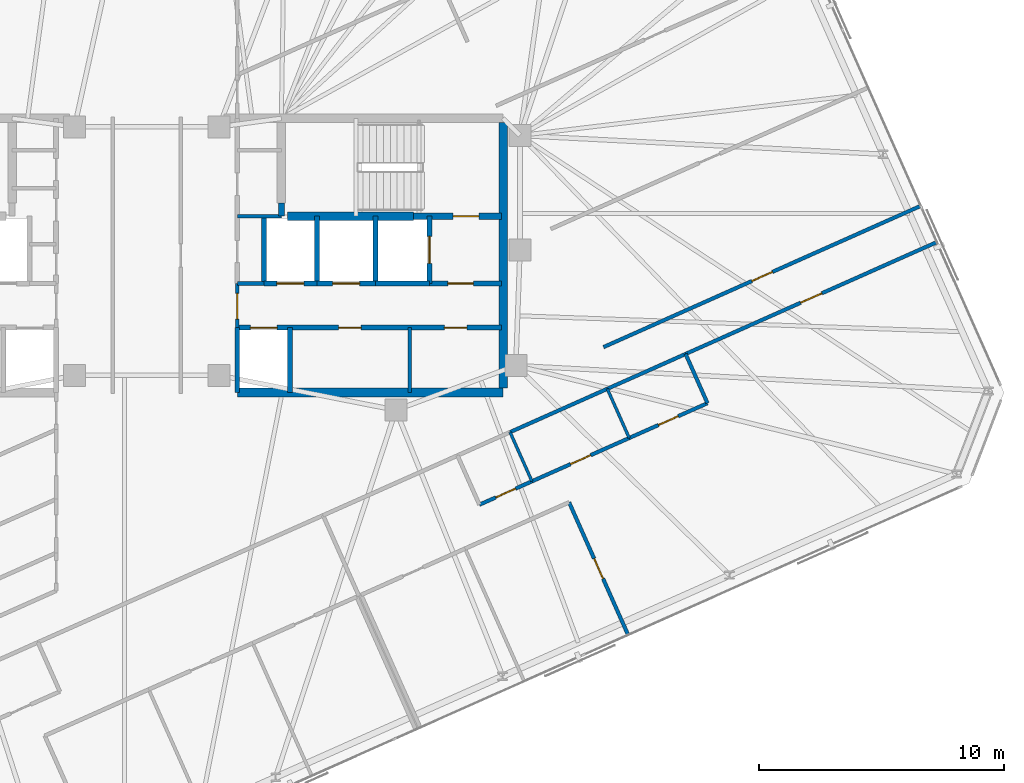
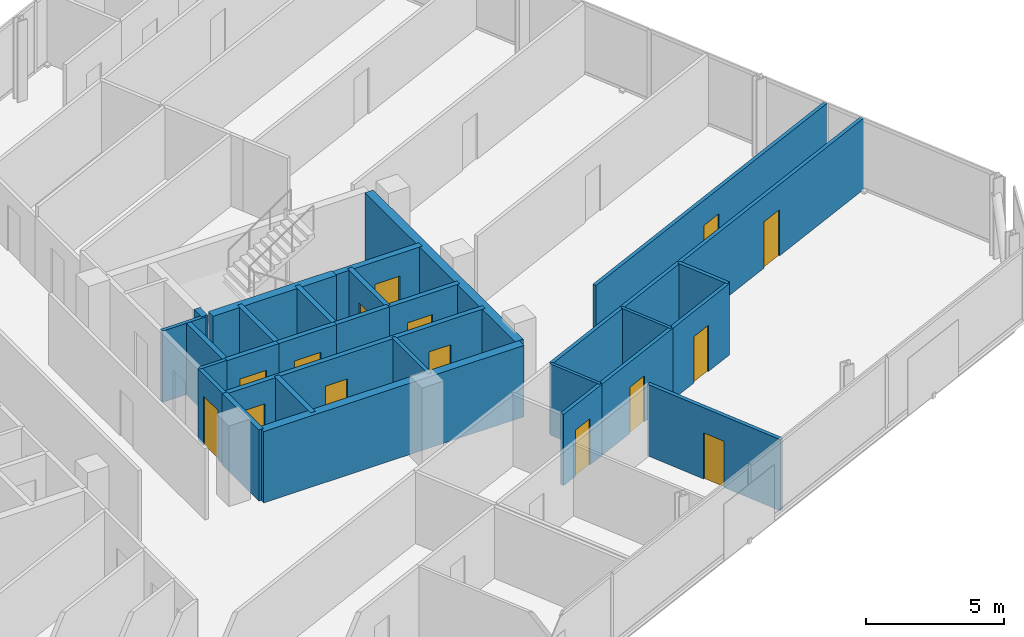
# One storey, part 15 of 19: 31 walls, 15 doors, 15 openings.
"""IFC4 building model written with IfcOpenShell, lengths in metres."""

from ifc_helpers import new_model, si_unit, direction, frame, frame_2d, origin, place, context, subcontext, project, spatial, rectangle, extrude, material, layer, layer_set, type_object, element, fill, save


model = new_model("IFC4")

# Units and contexts
model_context = context("Model", 3, precision=1e-05, world=origin(), true_north=direction((0.0, 1.0)))
body_context = subcontext(model_context, "Body", "Model", "MODEL_VIEW")
ifc_project = project(units=[si_unit("LENGTHUNIT", "METRE"), si_unit("AREAUNIT", "SQUARE_METRE"), si_unit("VOLUMEUNIT", "CUBIC_METRE"), si_unit("PLANEANGLEUNIT", "RADIAN"), si_unit("MASSUNIT", "GRAM", prefix="KILO")], contexts=[model_context])

# Site, building, storey
site_placement = place(None, origin())
site = spatial("IfcSite", under=ifc_project, at=site_placement, CompositionType="ELEMENT")
building_placement = place(site_placement, origin())
building = spatial("IfcBuilding", under=site, at=building_placement, Name="Menara Jurai Vektor", CompositionType="ELEMENT")
storey_placement = place(building_placement, frame((0.0, 0.0, 302.0)))
storey = spatial("IfcBuildingStorey", under=building, at=storey_placement, Name="L81", CompositionType="ELEMENT", Elevation=302.0)

# Wall, opening, door
ifc_material_1 = material(Name="Concrete C40/50", Category="concrete")
ifc_layer_1 = layer(ifc_material_1, 0.25)
ifc_layer_set_1 = layer_set([ifc_layer_1], Name="Concrete C40/50")
wall_type_1 = type_object("IfcWallType", Name="INT-WALL-CORE-250", PredefinedType="STANDARD", material=ifc_layer_set_1)
wall_1_placement = place(storey_placement, frame((10.89990234375, 1.60009765625, 0.0), z_axis=(0.0, 0.0, 1.0), x_axis=(1.0, 0.0, 0.0)))
wall_1 = element("IfcWall", 1, at=wall_1_placement, inside=storey, type_object=wall_type_1, Name="Interior Wall IW-250 L81", PredefinedType="STANDARD", context=body_context, shape_type="SweptSolid", body=[
    extrude(rectangle(XDim=3.60009765625, YDim=0.25, at=frame_2d((1.800048828125, 0.0))), origin(), (0.0, 0.0, 1.0), 3.14501953125),
])
opening_1_placement = place(wall_1_placement, frame((1.6201171875, 0.0, 0.0)))
opening_1 = element("IfcOpeningElement", 2, at=opening_1_placement, cuts=wall_1, Name="Opening D-L81-ST2", PredefinedType="OPENING", context=body_context, shape_type="SweptSolid", body=[
    extrude(rectangle(XDim=1.050048828125, YDim=2.14990234375, at=frame_2d((0.52490234375, 1.074951171875))), frame((0.0, 0.135009765625, 0.0), z_axis=(0.0, -1.0, 0.0), x_axis=(1.0, 0.0, 0.0)), (0.0, 0.0, 1.0), 0.27001953125),
])
ifc_material_2 = material(Name="Fire-Rated Steel Door", Category="steel")
door_type_1 = type_object("IfcDoorType", Name="DR-STAIR-1050", OperationType="NOTDEFINED", PredefinedType="DOOR", material=ifc_material_2)
door_1_placement = place(opening_1_placement, origin())
door_1 = element("IfcDoor", 3, at=door_1_placement, inside=storey, type_object=door_type_1, Name="Exit Stair ST2 Door L81", OperationType="SINGLE_SWING_LEFT", OverallHeight=2.14990234375, OverallWidth=1.050048828125, PredefinedType="DOOR", context=body_context, shape_type="SweptSolid", body=[
    extrude(rectangle(XDim=1.050048828125, YDim=2.14990234375, at=frame_2d((0.52490234375, 1.074951171875))), frame((0.0, 0.02490234375, 0.0), z_axis=(0.0, -1.0, 0.0), x_axis=(1.0, 0.0, 0.0)), (0.0, 0.0, 1.0), 0.050048828125),
])
fill(opening_1, door_1)

# Wall
wall_2_placement = place(storey_placement, frame((5.5, 1.60009765625, 0.0), z_axis=(0.0, 0.0, 1.0), x_axis=(0.0, 1.0, 0.0)))
element("IfcWall", 4, at=wall_2_placement, inside=storey, type_object=wall_type_1, Name="Interior Wall IW-250 L81", PredefinedType="STANDARD", context=body_context, shape_type="SweptSolid", body=[
    extrude(rectangle(XDim=0.5498046875, YDim=0.25, at=frame_2d((0.27490234375, 0.0))), origin(), (0.0, 0.0, 1.0), 3.14501953125),
])

# Wall, opening, door
wall_3_placement = place(storey_placement, frame((11.550048828125, -1.14990234375, 0.0), z_axis=(0.0, 0.0, 1.0), x_axis=(0.0, 1.0, 0.0)))
wall_3 = element("IfcWall", 5, at=wall_3_placement, inside=storey, type_object=wall_type_1, Name="Interior Wall IW-250 L81", PredefinedType="STANDARD", context=body_context, shape_type="SweptSolid", body=[
    extrude(rectangle(XDim=2.75, YDim=0.199951171875, at=frame_2d((1.375, 0.0))), origin(), (0.0, 0.0, 1.0), 3.14501953125),
])
opening_2_placement = place(wall_3_placement, frame((0.824951171875, 0.0, 0.0)))
opening_2 = element("IfcOpeningElement", 6, at=opening_2_placement, cuts=wall_3, Name="Opening LD-L81-FL2", PredefinedType="OPENING", context=body_context, shape_type="SweptSolid", body=[
    extrude(rectangle(XDim=1.10009765625, YDim=2.14990234375, at=frame_2d((0.550048828125, 1.074951171875))), frame((0.0, 0.10986328125, 0.0), z_axis=(0.0, -1.0, 0.0), x_axis=(1.0, 0.0, 0.0)), (0.0, 0.0, 1.0), 0.219970703125),
])
ifc_material_3 = material(Name="Stainless Steel Sliding Lift Landing Door", Category="steel")
door_type_2 = type_object("IfcDoorType", Name="DR-LIFT-FIRE-1100", OperationType="NOTDEFINED", PredefinedType="DOOR", material=ifc_material_3)
door_2_placement = place(opening_2_placement, origin())
door_2 = element("IfcDoor", 7, at=door_2_placement, inside=storey, type_object=door_type_2, Name="Lift Landing Door FL2 L81", OperationType="SLIDING_TO_RIGHT", OverallHeight=2.14990234375, OverallWidth=1.10009765625, PredefinedType="DOOR", context=body_context, shape_type="SweptSolid", body=[
    extrude(rectangle(XDim=1.10009765625, YDim=2.14990234375, at=frame_2d((0.550048828125, 1.074951171875))), frame((0.0, 0.02490234375, 0.0), z_axis=(0.0, -1.0, 0.0), x_axis=(1.0, 0.0, 0.0)), (0.0, 0.0, 1.0), 0.050048828125),
])
fill(opening_2, door_2)

# Wall
wall_4_placement = place(storey_placement, frame((9.35009765625, -1.14990234375, 0.0), z_axis=(0.0, 0.0, 1.0), x_axis=(0.0, 1.0, 0.0)))
element("IfcWall", 8, at=wall_4_placement, inside=storey, type_object=wall_type_1, Name="Interior Wall IW-250 L81", PredefinedType="STANDARD", context=body_context, shape_type="SweptSolid", body=[
    extrude(rectangle(XDim=2.75, YDim=0.199951171875, at=frame_2d((1.375, 0.0))), origin(), (0.0, 0.0, 1.0), 3.14501953125),
])

# Wall, opening, door
wall_5_placement = place(storey_placement, frame((11.550048828125, -1.14990234375, 0.0), z_axis=(0.0, 0.0, 1.0), x_axis=(1.0, 0.0, 0.0)))
wall_5 = element("IfcWall", 9, at=wall_5_placement, inside=storey, type_object=wall_type_1, Name="Interior Wall IW-250 L81", PredefinedType="STANDARD", context=body_context, shape_type="SweptSolid", body=[
    extrude(rectangle(XDim=2.949951171875, YDim=0.199951171875, at=frame_2d((1.47509765625, 0.0))), origin(), (0.0, 0.0, 1.0), 3.14501953125),
])
opening_3_placement = place(wall_5_placement, frame((0.75, 0.0, 0.0)))
opening_3 = element("IfcOpeningElement", 10, at=opening_3_placement, cuts=wall_5, Name="Opening D-L81-FFE", PredefinedType="OPENING", context=body_context, shape_type="SweptSolid", body=[
    extrude(rectangle(XDim=1.050048828125, YDim=2.179931640625, at=frame_2d((0.52490234375, 1.08984375))), frame((0.0, 0.10986328125, 0.0), z_axis=(0.0, -1.0, 0.0), x_axis=(1.0, 0.0, 0.0)), (0.0, 0.0, 1.0), 0.219970703125),
])
ifc_material_4 = material(Name="Fire-Rated Timber Door", Category="wood")
door_type_3 = type_object("IfcDoorType", Name="DR-LOBBY-1050", OperationType="NOTDEFINED", PredefinedType="DOOR", material=ifc_material_4)
door_3_placement = place(opening_3_placement, origin())
door_3 = element("IfcDoor", 11, at=door_3_placement, inside=storey, type_object=door_type_3, Name="Fire Lift Lobby Door E L81", OperationType="SINGLE_SWING_LEFT", OverallHeight=2.179931640625, OverallWidth=1.050048828125, PredefinedType="DOOR", context=body_context, shape_type="SweptSolid", body=[
    extrude(rectangle(XDim=1.050048828125, YDim=2.179931640625, at=frame_2d((0.52490234375, 1.08984375))), frame((0.0, 0.02490234375, 0.0), z_axis=(0.0, -1.0, 0.0), x_axis=(1.0, 0.0, 0.0)), (0.0, 0.0, 1.0), 0.050048828125),
])
fill(opening_3, door_3)

# Wall
wall_6_placement = place(storey_placement, frame((9.35009765625, -1.14990234375, 0.0), z_axis=(0.0, 0.0, 1.0), x_axis=(1.0, 0.0, 0.0)))
element("IfcWall", 12, at=wall_6_placement, inside=storey, type_object=wall_type_1, Name="Interior Wall IW-250 L81", PredefinedType="STANDARD", context=body_context, shape_type="SweptSolid", body=[
    extrude(rectangle(XDim=2.199951171875, YDim=0.199951171875, at=frame_2d((1.10009765625, 0.0))), origin(), (0.0, 0.0, 1.0), 3.14501953125),
])

# Wall, opening, door
ifc_material_5 = material(Name="Gypsum Fireboard Partition", Category="gypsum")
ifc_layer_2 = layer(ifc_material_5, 0.14990234375)
ifc_layer_set_2 = layer_set([ifc_layer_2], Name="Gypsum Fireboard Partition")
wall_type_2 = type_object("IfcWallType", Name="INT-WALL-CORR-150", PredefinedType="PARTITIONING", material=ifc_layer_set_2)
wall_7_placement = place(storey_placement, frame((3.699951171875, -2.949951171875, 0.0), z_axis=(0.0, 0.0, 1.0), x_axis=(0.0, 1.0, 0.0)))
wall_7 = element("IfcWall", 13, at=wall_7_placement, inside=storey, type_object=wall_type_2, Name="Interior Wall IW-150 L81", PredefinedType="PARTITIONING", context=body_context, shape_type="SweptSolid", body=[
    extrude(rectangle(XDim=1.800048828125, YDim=0.14990234375, at=frame_2d((0.89990234375, 0.0))), origin(), (0.0, 0.0, 1.0), 3.14501953125),
])
opening_4_placement = place(wall_7_placement, frame((0.35009765625, 0.0, 0.0)))
opening_4 = element("IfcOpeningElement", 14, at=opening_4_placement, cuts=wall_7, Name="Opening D-L81-LLE", PredefinedType="OPENING", context=body_context, shape_type="SweptSolid", body=[
    extrude(rectangle(XDim=1.050048828125, YDim=2.179931640625, at=frame_2d((0.52490234375, 1.08984375))), frame((0.0, 0.0849609375, 0.0), z_axis=(0.0, -1.0, 0.0), x_axis=(1.0, 0.0, 0.0)), (0.0, 0.0, 1.0), 0.169921875),
])
door_4_placement = place(opening_4_placement, frame((1.050048828125, 0.0, 0.0), z_axis=(0.0, 0.0, 1.0), x_axis=(-1.0, 0.0, 0.0)))
door_4 = element("IfcDoor", 15, at=door_4_placement, inside=storey, type_object=door_type_3, Name="Lift Lobby Corridor Door E L81", OperationType="SINGLE_SWING_RIGHT", OverallHeight=2.179931640625, OverallWidth=1.050048828125, PredefinedType="DOOR", context=body_context, shape_type="SweptSolid", body=[
    extrude(rectangle(XDim=1.050048828125, YDim=2.179931640625, at=frame_2d((0.52490234375, 1.08984375))), frame((0.0, 0.02490234375, 0.0), z_axis=(0.0, -1.0, 0.0), x_axis=(1.0, 0.0, 0.0)), (0.0, 0.0, 1.0), 0.050048828125),
])
fill(opening_4, door_4)

# Walls
wall_8_placement = place(storey_placement, frame((3.699951171875, -1.14990234375, 0.0), z_axis=(0.0, 0.0, 1.0), x_axis=(1.0, 0.0, 0.0)))
element("IfcWall", 16, at=wall_8_placement, inside=storey, type_object=wall_type_2, Name="Interior Wall IW-150 L81", PredefinedType="PARTITIONING", context=body_context, shape_type="SweptSolid", body=[
    extrude(rectangle(XDim=1.090087890625, YDim=0.14990234375, at=frame_2d((0.544921875, 0.0))), origin(), (0.0, 0.0, 1.0), 3.14501953125),
])
wall_9_placement = place(storey_placement, frame((10.739990234375, -5.60009765625, 0.0), z_axis=(0.0, 0.0, 1.0), x_axis=(0.0, 1.0, 0.0)))
element("IfcWall", 17, at=wall_9_placement, inside=storey, type_object=wall_type_2, Name="Interior Wall IW-150 L81", PredefinedType="PARTITIONING", context=body_context, shape_type="SweptSolid", body=[
    extrude(rectangle(XDim=2.650146484375, YDim=0.14990234375, at=frame_2d((1.3251953125, 0.0))), origin(), (0.0, 0.0, 1.0), 3.14501953125),
])
wall_10_placement = place(storey_placement, frame((3.699951171875, 1.60009765625, 0.0), z_axis=(0.0, 0.0, 1.0), x_axis=(1.0, 0.0, 0.0)))
element("IfcWall", 18, at=wall_10_placement, inside=storey, type_object=wall_type_2, Name="Interior Wall IW-150 L81", PredefinedType="PARTITIONING", context=body_context, shape_type="SweptSolid", body=[
    extrude(rectangle(XDim=1.800048828125, YDim=0.14990234375, at=frame_2d((0.89990234375, 0.0))), origin(), (0.0, 0.0, 1.0), 3.14501953125),
])

# Wall, opening, door
wall_11_placement = place(storey_placement, frame((22.015625, -4.027099609375, 0.0), z_axis=(0.0, 0.0, 1.0), x_axis=(0.913548968583, 0.406728757282, 0.0)))
wall_11 = element("IfcWall", 19, at=wall_11_placement, inside=storey, type_object=wall_type_2, Name="Interior Wall IW-150 L81", PredefinedType="PARTITIONING", context=body_context, shape_type="SweptSolid", body=[
    extrude(rectangle(XDim=11.2421875, YDim=0.14990234375, at=frame_2d((5.62109375, 0.0))), origin(), (0.0, 0.0, 1.0), 3.14501953125),
])
opening_5_placement = place(wall_11_placement, frame((5.14599609375, 0.0, 0.0)))
opening_5 = element("IfcOpeningElement", 20, at=opening_5_placement, cuts=wall_11, Name="Opening D81-20", PredefinedType="OPENING", context=body_context, shape_type="SweptSolid", body=[
    extrude(rectangle(XDim=0.949951171875, YDim=2.0400390625, at=frame_2d((0.47509765625, 1.02001953125))), frame((0.0, 0.0849609375, 0.0), z_axis=(0.0, -1.0, 0.0), x_axis=(1.0, 0.0, 0.0)), (0.0, 0.0, 1.0), 0.169921875),
])
ifc_material_6 = material(Name="Solid Core Timber Fire Door", Category="wood")
door_type_4 = type_object("IfcDoorType", Name="DR-ENTRY-950", OperationType="NOTDEFINED", PredefinedType="DOOR", material=ifc_material_6)
door_5_placement = place(opening_5_placement, origin())
door_5 = element("IfcDoor", 21, at=door_5_placement, inside=storey, type_object=door_type_4, Name="Interior Door D81-20", OperationType="SINGLE_SWING_RIGHT", OverallHeight=2.0400390625, OverallWidth=0.949951171875, PredefinedType="DOOR", context=body_context, shape_type="SweptSolid", body=[
    extrude(rectangle(XDim=0.949951171875, YDim=2.0400390625, at=frame_2d((0.47509765625, 1.02001953125))), frame((0.0, 0.02490234375, 0.0), z_axis=(0.0, -1.0, 0.0), x_axis=(1.0, 0.0, 0.0)), (0.0, 0.0, 1.0), 0.050048828125),
])
fill(opening_5, door_5)

# Walls
wall_12_placement = place(storey_placement, frame((14.844482421875, -7.22021484375, 0.0), z_axis=(0.0, 0.0, 1.0), x_axis=(0.913524337797, 0.406784075711, 0.0)))
element("IfcWall", 22, at=wall_12_placement, inside=storey, type_object=wall_type_2, Name="Interior Wall IW-150 L81", PredefinedType="PARTITIONING", context=body_context, shape_type="SweptSolid", body=[
    extrude(rectangle(XDim=4.35009765625, YDim=0.14990234375, at=frame_2d((2.175048828125, 0.0))), origin(), (0.0, 0.0, 1.0), 3.14501953125),
])
wall_13_placement = place(storey_placement, frame((18.818359375, -5.45068359375, 0.0), z_axis=(0.0, 0.0, 1.0), x_axis=(0.913538066796, 0.406753242783, 0.0)))
element("IfcWall", 23, at=wall_13_placement, inside=storey, type_object=wall_type_2, Name="Interior Wall IW-150 L81", PredefinedType="PARTITIONING", context=body_context, shape_type="SweptSolid", body=[
    extrude(rectangle(XDim=3.499755859375, YDim=0.14990234375, at=frame_2d((1.75, 0.0))), origin(), (0.0, 0.0, 1.0), 3.14501953125),
])

# Wall, opening, door
wall_14_placement = place(storey_placement, frame((18.661865234375, -3.747314453125, 0.0), z_axis=(0.0, 0.0, 1.0), x_axis=(0.913544622417, 0.406738519018, 0.0)))
wall_14 = element("IfcWall", 24, at=wall_14_placement, inside=storey, type_object=wall_type_2, Name="Interior Wall IW-150 L81", PredefinedType="PARTITIONING", context=body_context, shape_type="SweptSolid", body=[
    extrude(rectangle(XDim=14.192138671875, YDim=0.14990234375, at=frame_2d((7.09619140625, 0.0))), origin(), (0.0, 0.0, 1.0), 3.14501953125),
])
opening_6_placement = place(wall_14_placement, frame((6.635986328125, 0.0, 0.0)))
opening_6 = element("IfcOpeningElement", 25, at=opening_6_placement, cuts=wall_14, Name="Opening D81-43", PredefinedType="OPENING", context=body_context, shape_type="SweptSolid", body=[
    extrude(rectangle(XDim=0.919921875, YDim=2.0400390625, at=frame_2d((0.4599609375, 1.02001953125))), frame((0.0, 0.0849609375, 0.0), z_axis=(0.0, -1.0, 0.0), x_axis=(1.0, 0.0, 0.0)), (0.0, 0.0, 1.0), 0.169921875),
])
door_6_placement = place(opening_6_placement, origin())
door_6 = element("IfcDoor", 26, at=door_6_placement, inside=storey, type_object=door_type_4, Name="Interior Door D81-43", OperationType="SINGLE_SWING_LEFT", OverallHeight=2.0400390625, OverallWidth=0.919921875, PredefinedType="DOOR", context=body_context, shape_type="SweptSolid", body=[
    extrude(rectangle(XDim=0.919921875, YDim=2.0400390625, at=frame_2d((0.4599609375, 1.02001953125))), frame((0.0, 0.02490234375, 0.0), z_axis=(0.0, -1.0, 0.0), x_axis=(1.0, 0.0, 0.0)), (0.0, 0.0, 1.0), 0.050048828125),
])
fill(opening_6, door_6)

wall_15_placement = place(storey_placement, frame((13.59228515625, -10.185791015625, 0.0), z_axis=(0.0, 0.0, 1.0), x_axis=(0.913558622212, 0.406707073682, 0.0)))
wall_15 = element("IfcWall", 27, at=wall_15_placement, inside=storey, type_object=wall_type_2, Name="Interior Wall IW-150 L81", PredefinedType="PARTITIONING", context=body_context, shape_type="SweptSolid", body=[
    extrude(rectangle(XDim=2.35009765625, YDim=0.14990234375, at=frame_2d((1.175048828125, 0.0))), origin(), (0.0, 0.0, 1.0), 3.14501953125),
])
opening_7_placement = place(wall_15_placement, frame((0.735107421875, 0.0, 0.0)))
opening_7 = element("IfcOpeningElement", 28, at=opening_7_placement, cuts=wall_15, Name="Opening D81-21", PredefinedType="OPENING", context=body_context, shape_type="SweptSolid", body=[
    extrude(rectangle(XDim=0.8798828125, YDim=2.0400390625, at=frame_2d((0.43994140625, 1.02001953125))), frame((0.0, 0.0849609375, 0.0), z_axis=(0.0, -1.0, 0.0), x_axis=(1.0, 0.0, 0.0)), (0.0, 0.0, 1.0), 0.169921875),
])
ifc_material_7 = material(Name="Moisture-Resistant Timber Door", Category="wood")
door_type_5 = type_object("IfcDoorType", Name="DR-BATH-880", OperationType="NOTDEFINED", PredefinedType="DOOR", material=ifc_material_7)
door_7_placement = place(opening_7_placement, origin())
door_7 = element("IfcDoor", 29, at=door_7_placement, inside=storey, type_object=door_type_5, Name="Interior Door D81-21", OperationType="SINGLE_SWING_LEFT", OverallHeight=2.0400390625, OverallWidth=0.8798828125, PredefinedType="DOOR", context=body_context, shape_type="SweptSolid", body=[
    extrude(rectangle(XDim=0.8798828125, YDim=2.0400390625, at=frame_2d((0.43994140625, 1.02001953125))), frame((0.0, 0.02490234375, 0.0), z_axis=(0.0, -1.0, 0.0), x_axis=(1.0, 0.0, 0.0)), (0.0, 0.0, 1.0), 0.050048828125),
])
fill(opening_7, door_7)

wall_16_placement = place(storey_placement, frame((15.7392578125, -9.22998046875, 0.0), z_axis=(0.0, 0.0, 1.0), x_axis=(0.913545193015, 0.406737237438, 0.0)))
wall_16 = element("IfcWall", 30, at=wall_16_placement, inside=storey, type_object=wall_type_2, Name="Interior Wall IW-150 L81", PredefinedType="PARTITIONING", context=body_context, shape_type="SweptSolid", body=[
    extrude(rectangle(XDim=4.349853515625, YDim=0.14990234375, at=frame_2d((2.1748046875, 0.0))), origin(), (0.0, 0.0, 1.0), 3.14501953125),
])
opening_8_placement = place(wall_16_placement, frame((1.72509765625, 0.0, 0.0)))
opening_8 = element("IfcOpeningElement", 31, at=opening_8_placement, cuts=wall_16, Name="Opening D81-22", PredefinedType="OPENING", context=body_context, shape_type="SweptSolid", body=[
    extrude(rectangle(XDim=0.89990234375, YDim=2.0400390625, at=frame_2d((0.449951171875, 1.02001953125))), frame((0.0, 0.0849609375, 0.0), z_axis=(0.0, -1.0, 0.0), x_axis=(1.0, 0.0, 0.0)), (0.0, 0.0, 1.0), 0.169921875),
])
ifc_material_8 = material(Name="Acoustic Timber Interior Door", Category="wood")
door_type_6 = type_object("IfcDoorType", Name="DR-ROOM-900", OperationType="NOTDEFINED", PredefinedType="DOOR", material=ifc_material_8)
door_8_placement = place(opening_8_placement, origin())
door_8 = element("IfcDoor", 32, at=door_8_placement, inside=storey, type_object=door_type_6, Name="Interior Door D81-22", OperationType="SINGLE_SWING_RIGHT", OverallHeight=2.0400390625, OverallWidth=0.89990234375, PredefinedType="DOOR", context=body_context, shape_type="SweptSolid", body=[
    extrude(rectangle(XDim=0.89990234375, YDim=2.0400390625, at=frame_2d((0.449951171875, 1.02001953125))), frame((0.0, 0.02490234375, 0.0), z_axis=(0.0, -1.0, 0.0), x_axis=(1.0, 0.0, 0.0)), (0.0, 0.0, 1.0), 0.050048828125),
])
fill(opening_8, door_8)

wall_17_placement = place(storey_placement, frame((19.713134765625, -7.460693359375, 0.0), z_axis=(0.0, 0.0, 1.0), x_axis=(0.913549606868, 0.406727323635, 0.0)))
wall_17 = element("IfcWall", 33, at=wall_17_placement, inside=storey, type_object=wall_type_2, Name="Interior Wall IW-150 L81", PredefinedType="PARTITIONING", context=body_context, shape_type="SweptSolid", body=[
    extrude(rectangle(XDim=3.5, YDim=0.14990234375, at=frame_2d((1.75, 0.0))), origin(), (0.0, 0.0, 1.0), 3.14501953125),
])
opening_9_placement = place(wall_17_placement, frame((1.31005859375, 0.0, 0.0)))
opening_9 = element("IfcOpeningElement", 34, at=opening_9_placement, cuts=wall_17, Name="Opening D81-23", PredefinedType="OPENING", context=body_context, shape_type="SweptSolid", body=[
    extrude(rectangle(XDim=0.8798828125, YDim=2.0400390625, at=frame_2d((0.43994140625, 1.02001953125))), frame((0.0, 0.0849609375, 0.0), z_axis=(0.0, -1.0, 0.0), x_axis=(1.0, 0.0, 0.0)), (0.0, 0.0, 1.0), 0.169921875),
])
door_9_placement = place(opening_9_placement, origin())
door_9 = element("IfcDoor", 35, at=door_9_placement, inside=storey, type_object=door_type_5, Name="Interior Door D81-23", OperationType="SINGLE_SWING_LEFT", OverallHeight=2.0400390625, OverallWidth=0.8798828125, PredefinedType="DOOR", context=body_context, shape_type="SweptSolid", body=[
    extrude(rectangle(XDim=0.8798828125, YDim=2.0400390625, at=frame_2d((0.43994140625, 1.02001953125))), frame((0.0, 0.02490234375, 0.0), z_axis=(0.0, -1.0, 0.0), x_axis=(1.0, 0.0, 0.0)), (0.0, 0.0, 1.0), 0.050048828125),
])
fill(opening_9, door_9)

# Wall
wall_18_placement = place(storey_placement, frame((22.91064453125, -6.037109375, 0.0), z_axis=(0.0, 0.0, 1.0), x_axis=(-0.40677666873, 0.913527636022, 0.0)))
element("IfcWall", 36, at=wall_18_placement, inside=storey, type_object=wall_type_2, Name="Interior Wall IW-150 L81", PredefinedType="PARTITIONING", context=body_context, shape_type="SweptSolid", body=[
    extrude(rectangle(XDim=2.2001953125, YDim=0.14990234375, at=frame_2d((1.10009765625, 0.0))), origin(), (0.0, 0.0, 1.0), 3.14501953125),
])

# Wall, opening, door
wall_19_placement = place(storey_placement, frame((19.669189453125, -15.509521484375, 0.0), z_axis=(0.0, 0.0, 1.0), x_axis=(-0.406733763825, 0.913546739562, 0.0)))
wall_19 = element("IfcWall", 37, at=wall_19_placement, inside=storey, type_object=wall_type_2, Name="Interior Wall IW-150 L81", PredefinedType="PARTITIONING", context=body_context, shape_type="SweptSolid", body=[
    extrude(rectangle(XDim=5.935302734375, YDim=0.14990234375, at=frame_2d((2.9677734375, 0.0))), origin(), (0.0, 0.0, 1.0), 3.14501953125),
])
opening_10_placement = place(wall_19_placement, frame((2.517578125, 0.0, 0.0)))
opening_10 = element("IfcOpeningElement", 38, at=opening_10_placement, cuts=wall_19, Name="Opening D81-25", PredefinedType="OPENING", context=body_context, shape_type="SweptSolid", body=[
    extrude(rectangle(XDim=0.89990234375, YDim=2.0400390625, at=frame_2d((0.449951171875, 1.02001953125))), frame((0.0, 0.0849609375, 0.0), z_axis=(0.0, -1.0, 0.0), x_axis=(1.0, 0.0, 0.0)), (0.0, 0.0, 1.0), 0.169921875),
])
door_10_placement = place(opening_10_placement, origin())
door_10 = element("IfcDoor", 39, at=door_10_placement, inside=storey, type_object=door_type_6, Name="Interior Door D81-25", OperationType="SINGLE_SWING_LEFT", OverallHeight=2.0400390625, OverallWidth=0.89990234375, PredefinedType="DOOR", context=body_context, shape_type="SweptSolid", body=[
    extrude(rectangle(XDim=0.89990234375, YDim=2.0400390625, at=frame_2d((0.449951171875, 1.02001953125))), frame((0.0, 0.02490234375, 0.0), z_axis=(0.0, -1.0, 0.0), x_axis=(1.0, 0.0, 0.0)), (0.0, 0.0, 1.0), 0.050048828125),
])
fill(opening_10, door_10)

# Walls
ifc_material_9 = material(Name="Gypsum Acoustic Stud Partition", Category="gypsum")
ifc_layer_3 = layer(ifc_material_9, 0.1201171875)
ifc_layer_set_3 = layer_set([ifc_layer_3], Name="Gypsum Acoustic Stud Partition")
wall_type_3 = type_object("IfcWallType", Name="INT-WALL-PART-120", PredefinedType="PARTITIONING", material=ifc_layer_set_3)
wall_20_placement = place(storey_placement, frame((15.7392578125, -9.22998046875, 0.0), z_axis=(0.0, 0.0, 1.0), x_axis=(-0.406725294076, 0.913550510459, 0.0)))
element("IfcWall", 40, at=wall_20_placement, inside=storey, type_object=wall_type_3, Name="Interior Wall IW-120 L81", PredefinedType="PARTITIONING", context=body_context, shape_type="SweptSolid", body=[
    extrude(rectangle(XDim=2.199951171875, YDim=0.1201171875, at=frame_2d((1.10009765625, 0.0))), origin(), (0.0, 0.0, 1.0), 3.14501953125),
])
wall_21_placement = place(storey_placement, frame((19.713134765625, -7.460693359375, 0.0), z_axis=(0.0, 0.0, 1.0), x_axis=(-0.406684063321, 0.913568865845, 0.0)))
element("IfcWall", 41, at=wall_21_placement, inside=storey, type_object=wall_type_3, Name="Interior Wall IW-120 L81", PredefinedType="PARTITIONING", context=body_context, shape_type="SweptSolid", body=[
    extrude(rectangle(XDim=2.2001953125, YDim=0.1201171875, at=frame_2d((1.10009765625, 0.0))), origin(), (0.0, 0.0, 1.0), 3.14501953125),
])
ifc_layer_4 = layer(ifc_material_1, 0.199951171875)
ifc_layer_set_4 = layer_set([ifc_layer_4], Name="Concrete C40/50")
wall_type_4 = type_object("IfcWallType", Name="INT-WALL-SHAFT-200", PredefinedType="STANDARD", material=ifc_layer_set_4)
wall_22_placement = place(storey_placement, frame((3.699951171875, -5.60009765625, 0.0), z_axis=(0.0, 0.0, 1.0), x_axis=(0.0, 1.0, 0.0)))
element("IfcWall", 42, at=wall_22_placement, inside=storey, type_object=wall_type_4, Name="Interior Wall IW-200 L81", PredefinedType="STANDARD", context=body_context, shape_type="SweptSolid", body=[
    extrude(rectangle(XDim=2.650146484375, YDim=0.199951171875, at=frame_2d((1.3251953125, 0.0))), origin(), (0.0, 0.0, 1.0), 3.14501953125),
])
wall_23_placement = place(storey_placement, frame((6.949951171875, -1.14990234375, 0.0), z_axis=(0.0, 0.0, 1.0), x_axis=(0.0, 1.0, 0.0)))
element("IfcWall", 43, at=wall_23_placement, inside=storey, type_object=wall_type_4, Name="Interior Wall IW-200 L81", PredefinedType="STANDARD", context=body_context, shape_type="SweptSolid", body=[
    extrude(rectangle(XDim=2.75, YDim=0.199951171875, at=frame_2d((1.375, 0.0))), origin(), (0.0, 0.0, 1.0), 3.14501953125),
])

# Wall, opening, door
wall_24_placement = place(storey_placement, frame((6.949951171875, -1.14990234375, 0.0), z_axis=(0.0, 0.0, 1.0), x_axis=(1.0, 0.0, 0.0)))
wall_24 = element("IfcWall", 44, at=wall_24_placement, inside=storey, type_object=wall_type_4, Name="Interior Wall IW-200 L81", PredefinedType="STANDARD", context=body_context, shape_type="SweptSolid", body=[
    extrude(rectangle(XDim=2.400146484375, YDim=0.199951171875, at=frame_2d((1.2001953125, 0.0))), origin(), (0.0, 0.0, 1.0), 3.14501953125),
])
opening_11_placement = place(wall_24_placement, frame((0.64990234375, 0.0, 0.0)))
opening_11 = element("IfcOpeningElement", 45, at=opening_11_placement, cuts=wall_24, Name="Opening LD-L81-SVL2", PredefinedType="OPENING", context=body_context, shape_type="SweptSolid", body=[
    extrude(rectangle(XDim=1.10009765625, YDim=2.14990234375, at=frame_2d((0.550048828125, 1.074951171875))), frame((0.0, 0.10986328125, 0.0), z_axis=(0.0, -1.0, 0.0), x_axis=(1.0, 0.0, 0.0)), (0.0, 0.0, 1.0), 0.219970703125),
])
ifc_material_10 = material(Name="Anodised Stainless Sliding Lift Landing Door", Category="steel")
door_type_7 = type_object("IfcDoorType", Name="DR-LIFT-PASS-1100", OperationType="NOTDEFINED", PredefinedType="DOOR", material=ifc_material_10)
door_11_placement = place(opening_11_placement, origin())
door_11 = element("IfcDoor", 46, at=door_11_placement, inside=storey, type_object=door_type_7, Name="Lift Landing Door SVL2 L81", OperationType="SLIDING_TO_RIGHT", OverallHeight=2.14990234375, OverallWidth=1.10009765625, PredefinedType="DOOR", context=body_context, shape_type="SweptSolid", body=[
    extrude(rectangle(XDim=1.10009765625, YDim=2.14990234375, at=frame_2d((0.550048828125, 1.074951171875))), frame((0.0, 0.02490234375, 0.0), z_axis=(0.0, -1.0, 0.0), x_axis=(1.0, 0.0, 0.0)), (0.0, 0.0, 1.0), 0.050048828125),
])
fill(opening_11, door_11)

# Wall
wall_25_placement = place(storey_placement, frame((4.7900390625, -1.14990234375, 0.0), z_axis=(0.0, 0.0, 1.0), x_axis=(0.0, 1.0, 0.0)))
element("IfcWall", 47, at=wall_25_placement, inside=storey, type_object=wall_type_4, Name="Interior Wall IW-200 L81", PredefinedType="STANDARD", context=body_context, shape_type="SweptSolid", body=[
    extrude(rectangle(XDim=2.75, YDim=0.199951171875, at=frame_2d((1.375, 0.0))), origin(), (0.0, 0.0, 1.0), 3.14501953125),
])

# Wall, opening, door
wall_26_placement = place(storey_placement, frame((4.7900390625, -1.14990234375, 0.0), z_axis=(0.0, 0.0, 1.0), x_axis=(1.0, 0.0, 0.0)))
wall_26 = element("IfcWall", 48, at=wall_26_placement, inside=storey, type_object=wall_type_4, Name="Interior Wall IW-200 L81", PredefinedType="STANDARD", context=body_context, shape_type="SweptSolid", body=[
    extrude(rectangle(XDim=2.159912109375, YDim=0.199951171875, at=frame_2d((1.080078125, 0.0))), origin(), (0.0, 0.0, 1.0), 3.14501953125),
])
opening_12_placement = place(wall_26_placement, frame((0.530029296875, 0.0, 0.0)))
opening_12 = element("IfcOpeningElement", 49, at=opening_12_placement, cuts=wall_26, Name="Opening LD-L81-PH4", PredefinedType="OPENING", context=body_context, shape_type="SweptSolid", body=[
    extrude(rectangle(XDim=1.10009765625, YDim=2.14990234375, at=frame_2d((0.550048828125, 1.074951171875))), frame((0.0, 0.10986328125, 0.0), z_axis=(0.0, -1.0, 0.0), x_axis=(1.0, 0.0, 0.0)), (0.0, 0.0, 1.0), 0.219970703125),
])
door_12_placement = place(opening_12_placement, origin())
door_12 = element("IfcDoor", 50, at=door_12_placement, inside=storey, type_object=door_type_7, Name="Lift Landing Door PH4 L81", OperationType="SLIDING_TO_LEFT", OverallHeight=2.14990234375, OverallWidth=1.10009765625, PredefinedType="DOOR", context=body_context, shape_type="SweptSolid", body=[
    extrude(rectangle(XDim=1.10009765625, YDim=2.14990234375, at=frame_2d((0.550048828125, 1.074951171875))), frame((0.0, 0.02490234375, 0.0), z_axis=(0.0, -1.0, 0.0), x_axis=(1.0, 0.0, 0.0)), (0.0, 0.0, 1.0), 0.050048828125),
])
fill(opening_12, door_12)

# Wall, openings, doors
wall_27_placement = place(storey_placement, frame((3.699951171875, -2.949951171875, 0.0), z_axis=(0.0, 0.0, 1.0), x_axis=(1.0, 0.0, 0.0)))
wall_27 = element("IfcWall", 51, at=wall_27_placement, inside=storey, type_object=wall_type_4, Name="Interior Wall IW-200 L81", PredefinedType="STANDARD", context=body_context, shape_type="SweptSolid", body=[
    extrude(rectangle(XDim=10.800048828125, YDim=0.199951171875, at=frame_2d((5.39990234375, 0.0))), origin(), (0.0, 0.0, 1.0), 3.14501953125),
])
opening_13_placement = place(wall_27_placement, frame((0.530029296875, 0.0, 0.0)))
opening_13 = element("IfcOpeningElement", 52, at=opening_13_placement, cuts=wall_27, Name="Opening LD-L81-PH3", PredefinedType="OPENING", context=body_context, shape_type="SweptSolid", body=[
    extrude(rectangle(XDim=1.10009765625, YDim=2.14990234375, at=frame_2d((0.550048828125, 1.074951171875))), frame((0.0, 0.10986328125, 0.0), z_axis=(0.0, -1.0, 0.0), x_axis=(1.0, 0.0, 0.0)), (0.0, 0.0, 1.0), 0.219970703125),
])
opening_14_placement = place(wall_27_placement, frame((4.139892578125, 0.0, 0.0)))
opening_14 = element("IfcOpeningElement", 53, at=opening_14_placement, cuts=wall_27, Name="Opening D81-05", PredefinedType="OPENING", context=body_context, shape_type="SweptSolid", body=[
    extrude(rectangle(XDim=0.919921875, YDim=2.0400390625, at=frame_2d((0.4599609375, 1.02001953125))), frame((0.0, 0.10986328125, 0.0), z_axis=(0.0, -1.0, 0.0), x_axis=(1.0, 0.0, 0.0)), (0.0, 0.0, 1.0), 0.219970703125),
])
opening_15_placement = place(wall_27_placement, frame((8.4599609375, 0.0, 0.0)))
opening_15 = element("IfcOpeningElement", 54, at=opening_15_placement, cuts=wall_27, Name="Opening D81-06", PredefinedType="OPENING", context=body_context, shape_type="SweptSolid", body=[
    extrude(rectangle(XDim=0.919921875, YDim=2.0400390625, at=frame_2d((0.4599609375, 1.02001953125))), frame((0.0, 0.10986328125, 0.0), z_axis=(0.0, -1.0, 0.0), x_axis=(1.0, 0.0, 0.0)), (0.0, 0.0, 1.0), 0.219970703125),
])
door_13_placement = place(opening_14_placement, origin())
door_13 = element("IfcDoor", 55, at=door_13_placement, inside=storey, type_object=door_type_4, Name="Interior Door D81-05", OperationType="SINGLE_SWING_LEFT", OverallHeight=2.0400390625, OverallWidth=0.919921875, PredefinedType="DOOR", context=body_context, shape_type="SweptSolid", body=[
    extrude(rectangle(XDim=0.919921875, YDim=2.0400390625, at=frame_2d((0.4599609375, 1.02001953125))), frame((0.0, 0.02490234375, 0.0), z_axis=(0.0, -1.0, 0.0), x_axis=(1.0, 0.0, 0.0)), (0.0, 0.0, 1.0), 0.050048828125),
])
fill(opening_14, door_13)
door_14_placement = place(opening_15_placement, origin())
door_14 = element("IfcDoor", 56, at=door_14_placement, inside=storey, type_object=door_type_4, Name="Interior Door D81-06", OperationType="SINGLE_SWING_RIGHT", OverallHeight=2.0400390625, OverallWidth=0.919921875, PredefinedType="DOOR", context=body_context, shape_type="SweptSolid", body=[
    extrude(rectangle(XDim=0.919921875, YDim=2.0400390625, at=frame_2d((0.4599609375, 1.02001953125))), frame((0.0, 0.02490234375, 0.0), z_axis=(0.0, -1.0, 0.0), x_axis=(1.0, 0.0, 0.0)), (0.0, 0.0, 1.0), 0.050048828125),
])
fill(opening_15, door_14)
door_15_placement = place(opening_13_placement, origin())
door_15 = element("IfcDoor", 57, at=door_15_placement, inside=storey, type_object=door_type_7, Name="Lift Landing Door PH3 L81", OperationType="SLIDING_TO_RIGHT", OverallHeight=2.14990234375, OverallWidth=1.10009765625, PredefinedType="DOOR", context=body_context, shape_type="SweptSolid", body=[
    extrude(rectangle(XDim=1.10009765625, YDim=2.14990234375, at=frame_2d((0.550048828125, 1.074951171875))), frame((0.0, 0.02490234375, 0.0), z_axis=(0.0, -1.0, 0.0), x_axis=(1.0, 0.0, 0.0)), (0.0, 0.0, 1.0), 0.050048828125),
])
fill(opening_13, door_15)

# Walls
wall_28_placement = place(storey_placement, frame((5.860107421875, -5.60009765625, 0.0), z_axis=(0.0, 0.0, 1.0), x_axis=(0.0, 1.0, 0.0)))
element("IfcWall", 58, at=wall_28_placement, inside=storey, type_object=wall_type_4, Name="Interior Wall IW-200 L81", PredefinedType="STANDARD", context=body_context, shape_type="SweptSolid", body=[
    extrude(rectangle(XDim=2.650146484375, YDim=0.199951171875, at=frame_2d((1.3251953125, 0.0))), origin(), (0.0, 0.0, 1.0), 3.14501953125),
])
ifc_material_11 = material(Name="Concrete C50/60", Category="concrete")
ifc_layer_5 = layer(ifc_material_11, 0.35009765625)
ifc_layer_set_5 = layer_set([ifc_layer_5], Name="Concrete C50/60")
wall_type_5 = type_object("IfcWallType", Name="STR-WALL-CORE350", PredefinedType="SHEAR", material=ifc_layer_set_5)
wall_29_placement = place(storey_placement, frame((3.699951171875, -5.60009765625, 0.0), z_axis=(0.0, 0.0, 1.0), x_axis=(1.0, 0.0, 0.0)))
element("IfcWall", 59, at=wall_29_placement, inside=storey, type_object=wall_type_5, Name="Core Shear Wall CW-E-S L81", PredefinedType="SHEAR", context=body_context, shape_type="SweptSolid", body=[
    extrude(rectangle(XDim=10.860107421875, YDim=0.35009765625, at=frame_2d((5.43017578125, 0.0))), origin(), (0.0, 0.0, 1.0), 3.14501953125),
])
wall_30_placement = place(storey_placement, frame((14.56005859375, -5.425048828125, 0.0), z_axis=(0.0, 0.0, 1.0), x_axis=(0.0, 1.0, 0.0)))
element("IfcWall", 60, at=wall_30_placement, inside=storey, type_object=wall_type_5, Name="Core Shear Wall CW-E-E L81", PredefinedType="SHEAR", context=body_context, shape_type="SweptSolid", body=[
    extrude(rectangle(XDim=10.85009765625, YDim=0.35009765625, at=frame_2d((5.425048828125, 0.0))), origin(), (0.0, 0.0, 1.0), 3.14501953125),
])
wall_31_placement = place(storey_placement, frame((5.75, 1.60009765625, 0.0), z_axis=(0.0, 0.0, 1.0), x_axis=(1.0, 0.0, 0.0)))
element("IfcWall", 61, at=wall_31_placement, inside=storey, type_object=wall_type_5, Name="Core Shear Wall CW-E-STS L81", PredefinedType="SHEAR", context=body_context, shape_type="SweptSolid", body=[
    extrude(rectangle(XDim=5.14990234375, YDim=0.35009765625, at=frame_2d((2.574951171875, 0.0))), origin(), (0.0, 0.0, 1.0), 3.14501953125),
])

save(model, "model.ifc")
